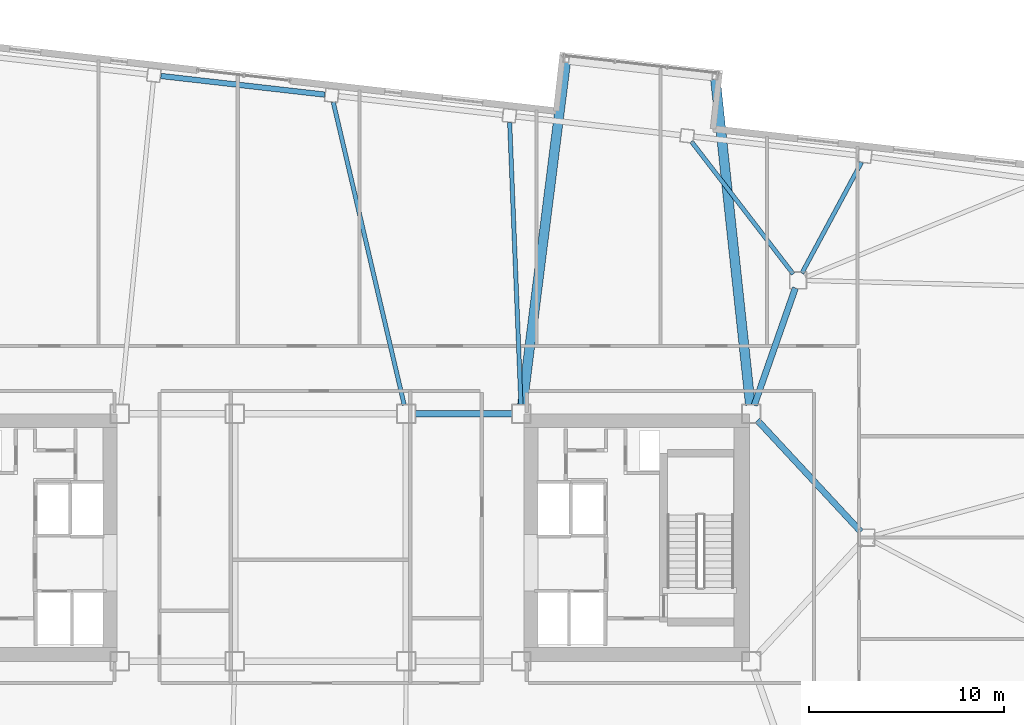
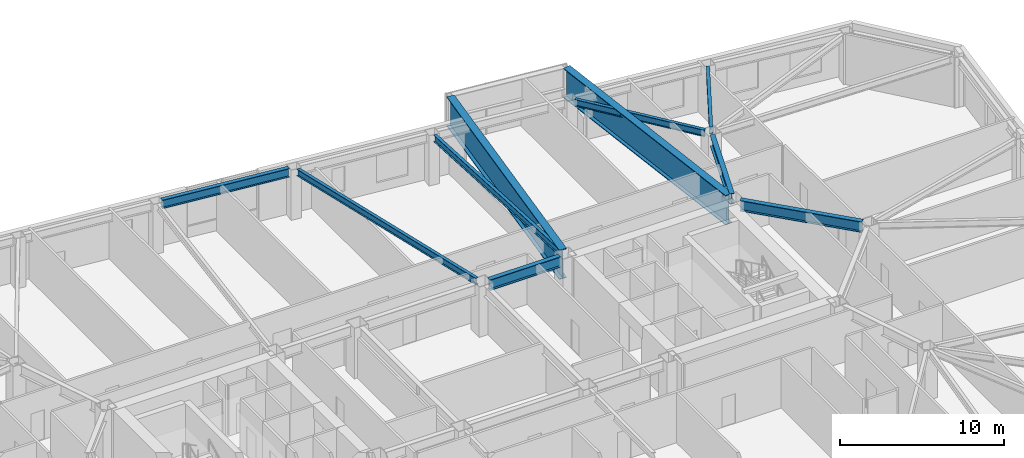
# One storey, part 9 of 23: 10 beams.
"""IFC4 building model written with IfcOpenShell, lengths in metres."""

from ifc_helpers import new_model, si_unit, direction, frame, origin, origin_2d, place, context, subcontext, project, spatial, i_section, extrude, material, material_profile, profile_set, type_object, element, save


model = new_model("IFC4")

# Units and contexts
model_context = context("Model", 3, precision=1e-05, world=origin(), true_north=direction((0.0, 1.0)))
body_context = subcontext(model_context, "Body", "Model", "MODEL_VIEW")
ifc_project = project(units=[si_unit("LENGTHUNIT", "METRE"), si_unit("AREAUNIT", "SQUARE_METRE"), si_unit("VOLUMEUNIT", "CUBIC_METRE"), si_unit("PLANEANGLEUNIT", "RADIAN"), si_unit("MASSUNIT", "GRAM", prefix="KILO")], contexts=[model_context])

# Site, building, storey
site_placement = place(None, origin())
site = spatial("IfcSite", under=ifc_project, at=site_placement, CompositionType="ELEMENT")
building_placement = place(site_placement, origin())
building = spatial("IfcBuilding", under=site, at=building_placement, Name="Tavrogorsk Clinical Tower", CompositionType="ELEMENT")
storey_placement = place(building_placement, frame((0.0, 0.0, 113.39990234375)))
storey = spatial("IfcBuildingStorey", under=building, at=storey_placement, Name="L25", CompositionType="ELEMENT", Elevation=113.39990234375)

# Beams
ifc_material_1 = material(Name="Structural steel S355", Category="steel")
ifc_material_profile_1 = material_profile(ifc_material_1, i_section(OverallWidth=0.219970703125, OverallDepth=0.5, WebThickness=0.012939453125, FlangeThickness=0.02001953125, at=origin_2d()), Name="B-500x220x13x20")
ifc_profile_set_1 = profile_set([ifc_material_profile_1], Name="Structural steel S355")
beam_type_1 = type_object("IfcBeamType", Name="FloorBeam_B500", PredefinedType="BEAM", material=ifc_profile_set_1)
beam_1_placement = place(storey_placement, frame((24.6943359375, 13.56103515625, 3.489990234375), z_axis=(0.473788919736, 0.880638438597, 0.0), x_axis=(-0.880638438597, 0.473788919736, 0.0)))
element("IfcBeam", 1, at=beam_1_placement, inside=storey, type_object=beam_type_1, Name="L25 Radial Floor Beam N2", PredefinedType="BEAM", context=body_context, shape_type="SweptSolid", body=[
    extrude(i_section(OverallWidth=0.219970703125, OverallDepth=0.5, WebThickness=0.012939453125, FlangeThickness=0.02001953125, at=origin_2d()), origin(), (0.0, 0.0, 1.0), 6.462890625),
])
beam_2_placement = place(storey_placement, frame((24.250244140625, 13.525146484375, 3.489990234375), z_axis=(-0.609376288757, 0.792881163038, 0.0), x_axis=(-0.792881163038, -0.609376288757, 0.0)))
element("IfcBeam", 2, at=beam_2_placement, inside=storey, type_object=beam_type_1, Name="L25 Radial Floor Beam N3", PredefinedType="BEAM", context=body_context, shape_type="SweptSolid", body=[
    extrude(i_section(OverallWidth=0.219970703125, OverallDepth=0.5, WebThickness=0.012939453125, FlangeThickness=0.02001953125, at=origin_2d()), origin(), (0.0, 0.0, 1.0), 8.5732421875),
])
beam_3_placement = place(storey_placement, frame((10.28173828125, 6.8095703125, 3.489990234375), z_axis=(-0.039881908424, 0.999204400201, 0.0), x_axis=(-0.999204400201, -0.039881908424, 0.0)))
element("IfcBeam", 3, at=beam_3_placement, inside=storey, type_object=beam_type_1, Name="L25 Radial Floor Beam N4", PredefinedType="BEAM", context=body_context, shape_type="SweptSolid", body=[
    extrude(i_section(OverallWidth=0.219970703125, OverallDepth=0.5, WebThickness=0.012939453125, FlangeThickness=0.02001953125, at=origin_2d()), origin(), (0.0, 0.0, 1.0), 14.48974609375),
])
beam_4_placement = place(storey_placement, frame((4.294921875, 6.7978515625, 3.489990234375), z_axis=(-0.228197667081, 0.973614823603, 0.0), x_axis=(-0.973614823603, -0.228197667081, 0.0)))
element("IfcBeam", 4, at=beam_4_placement, inside=storey, type_object=beam_type_1, Name="L25 Radial Floor Beam N5", PredefinedType="BEAM", context=body_context, shape_type="SweptSolid", body=[
    extrude(i_section(OverallWidth=0.219970703125, OverallDepth=0.5, WebThickness=0.012939453125, FlangeThickness=0.02001953125, at=origin_2d()), origin(), (0.0, 0.0, 1.0), 15.959228515625),
])
ifc_material_2 = material(Name="Structural steel S390", Category="steel")
ifc_material_profile_2 = material_profile(ifc_material_2, i_section(OverallWidth=0.320068359375, OverallDepth=0.800048828125, WebThickness=0.02001953125, FlangeThickness=0.033935546875, at=origin_2d()), Name="B-800x320x20x34")
ifc_profile_set_2 = profile_set([ifc_material_profile_2], Name="Structural steel S390")
beam_type_2 = type_object("IfcBeamType", Name="PrimaryGirder_B800", PredefinedType="USERDEFINED", material=ifc_profile_set_2)
beam_5_placement = place(storey_placement, frame((4.860107421875, 6.35009765625, 3.340087890625), z_axis=(1.0, 0.0, 0.0), x_axis=(0.0, 1.0, 0.0)))
element("IfcBeam", 5, at=beam_5_placement, inside=storey, type_object=beam_type_2, Name="L25 Primary Spine Girder MG-06", ObjectType="GIRDER", PredefinedType="USERDEFINED", context=body_context, shape_type="SweptSolid", body=[
    extrude(i_section(OverallWidth=0.320068359375, OverallDepth=0.800048828125, WebThickness=0.02001953125, FlangeThickness=0.033935546875, at=origin_2d()), origin(), (0.0, 0.0, 1.0), 4.97998046875),
])
beam_6_placement = place(storey_placement, frame((24.364501953125, 12.81298828125, 3.340087890625), z_axis=(-0.330660234815, -0.943749865755, 0.0), x_axis=(0.943749865755, -0.330660234815, 0.0)))
element("IfcBeam", 6, at=beam_6_placement, inside=storey, type_object=beam_type_2, Name="L25 Spine Link Girder OPG-4", ObjectType="GIRDER", PredefinedType="USERDEFINED", context=body_context, shape_type="SweptSolid", body=[
    extrude(i_section(OverallWidth=0.320068359375, OverallDepth=0.800048828125, WebThickness=0.02001953125, FlangeThickness=0.033935546875, at=origin_2d()), origin(), (0.0, 0.0, 1.0), 6.38818359375),
])
beam_7_placement = place(storey_placement, frame((27.720947265625, 0.30029296875, 3.340087890625), z_axis=(-0.680675630035, 0.732584934787, 0.0), x_axis=(-0.732584934787, -0.680675630035, 0.0)))
element("IfcBeam", 7, at=beam_7_placement, inside=storey, type_object=beam_type_2, Name="L25 Spine Link Girder OPG-8", ObjectType="GIRDER", PredefinedType="USERDEFINED", context=body_context, shape_type="SweptSolid", body=[
    extrude(i_section(OverallWidth=0.320068359375, OverallDepth=0.800048828125, WebThickness=0.02001953125, FlangeThickness=0.033935546875, at=origin_2d()), origin(), (0.0, 0.0, 1.0), 7.7978515625),
])
ifc_material_3 = material(Name="Structural steel S390", Category="steel")
ifc_material_profile_3 = material_profile(ifc_material_3, i_section(OverallWidth=0.280029296875, OverallDepth=0.64990234375, WebThickness=0.01611328125, FlangeThickness=0.02490234375, at=origin_2d()), Name="B-650x280x16x25")
ifc_profile_set_3 = profile_set([ifc_material_profile_3], Name="Structural steel S390")
beam_type_3 = type_object("IfcBeamType", Name="SpandrelBeam_B650", PredefinedType="SPANDREL", material=ifc_profile_set_3)
beam_8_placement = place(storey_placement, frame((0.2158203125, 22.724853515625, 3.4150390625), z_axis=(-0.993569819641, 0.113221082395, 0.0), x_axis=(-0.113221082395, -0.993569819641, 0.0)))
element("IfcBeam", 8, at=beam_8_placement, inside=storey, type_object=beam_type_3, Name="L25 Perimeter Spandrel N5-N6", PredefinedType="SPANDREL", context=body_context, shape_type="SweptSolid", body=[
    extrude(i_section(OverallWidth=0.280029296875, OverallDepth=0.64990234375, WebThickness=0.01611328125, FlangeThickness=0.02490234375, at=origin_2d()), origin(), (0.0, 0.0, 1.0), 8.46142578125),
])
ifc_material_4 = material(Name="Structural steel S440", Category="steel")
ifc_material_profile_4 = material_profile(ifc_material_4, i_section(OverallWidth=0.5, OverallDepth=2.199951171875, WebThickness=0.035888671875, FlangeThickness=0.054931640625, at=origin_2d()), Name="DK-2200x500x36x55")
ifc_profile_set_4 = profile_set([ifc_material_profile_4], Name="Structural steel S440")
beam_type_4 = type_object("IfcBeamType", Name="TransferGirder_DK2200", PredefinedType="USERDEFINED", material=ifc_profile_set_4)
beam_9_placement = place(storey_placement, frame((10.357666015625, 6.806396484375, 2.64013671875), z_axis=(0.125313964382, 0.992117135388, 0.0), x_axis=(-0.992117135388, 0.125313964382, 0.0)))
element("IfcBeam", 9, at=beam_9_placement, inside=storey, type_object=beam_type_4, Name="L25 Day-Room Cantilever Beam DRB-04-L", ObjectType="GIRDER", PredefinedType="USERDEFINED", context=body_context, shape_type="SweptSolid", body=[
    extrude(i_section(OverallWidth=0.5, OverallDepth=2.199951171875, WebThickness=0.035888671875, FlangeThickness=0.054931640625, at=origin_2d()), origin(), (0.0, 0.0, 1.0), 17.70947265625),
])
beam_10_placement = place(storey_placement, frame((22.051025390625, 6.807373046875, 2.64013671875), z_axis=(-0.106655298552, 0.994296056158, 0.0), x_axis=(-0.994296056158, -0.106655298552, 0.0)))
element("IfcBeam", 10, at=beam_10_placement, inside=storey, type_object=beam_type_4, Name="L25 Day-Room Cantilever Beam DRB-04-R", ObjectType="GIRDER", PredefinedType="USERDEFINED", context=body_context, shape_type="SweptSolid", body=[
    extrude(i_section(OverallWidth=0.5, OverallDepth=2.199951171875, WebThickness=0.035888671875, FlangeThickness=0.054931640625, at=origin_2d()), origin(), (0.0, 0.0, 1.0), 16.79248046875),
])

save(model, "model.ifc")
